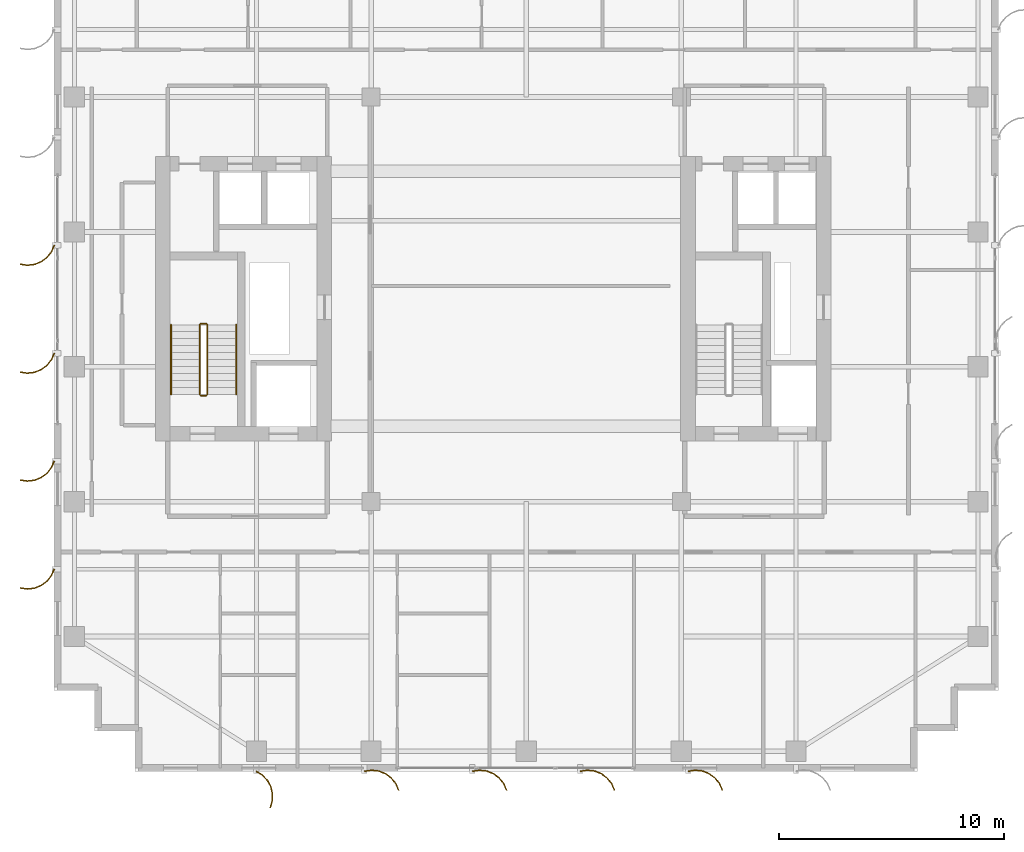
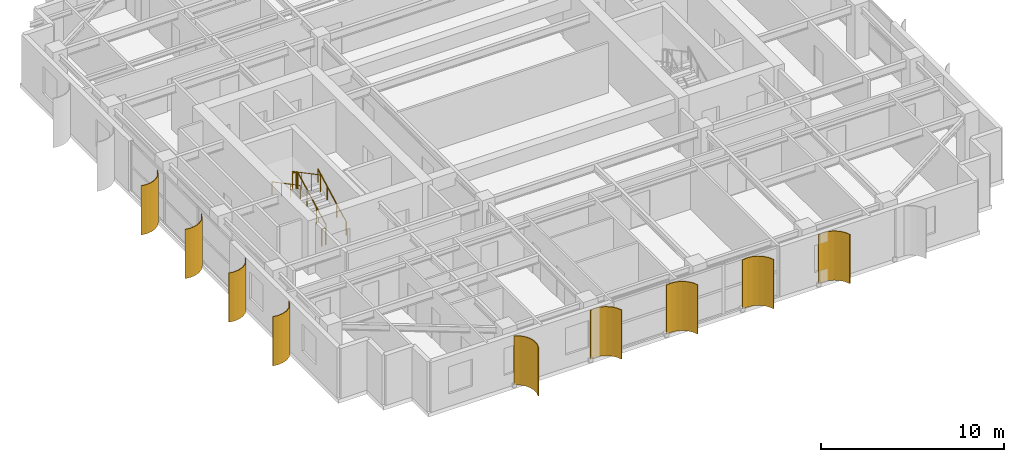
# One storey, part 20 of 22: 9 shading devices, 6 railings.
"""IFC4 building model written with IfcOpenShell, lengths in metres."""

from ifc_helpers import new_model, si_unit, direction, frame, origin, origin_2d, place, context, subcontext, project, spatial, polyline, circle, outline, extrude, source, transform, mapped, material, layer, layer_set, type_object, element, save


model = new_model("IFC4")

# Units and contexts
model_context = context("Model", 3, precision=1e-05, world=origin(), true_north=direction((0.0, 1.0)))
body_context = subcontext(model_context, "Body", "Model", "MODEL_VIEW")
ifc_project = project(units=[si_unit("LENGTHUNIT", "METRE"), si_unit("AREAUNIT", "SQUARE_METRE"), si_unit("VOLUMEUNIT", "CUBIC_METRE"), si_unit("PLANEANGLEUNIT", "RADIAN"), si_unit("MASSUNIT", "GRAM", prefix="KILO")], contexts=[model_context])

# Site, building, storey
site_placement = place(None, origin())
site = spatial("IfcSite", under=ifc_project, at=site_placement, CompositionType="ELEMENT")
building_placement = place(site_placement, origin())
building = spatial("IfcBuilding", under=site, at=building_placement, Name="Khoralis Quay Care Tower", CompositionType="ELEMENT")
storey_placement = place(building_placement, frame((0.0, 0.0, 170.10009765625)))
storey = spatial("IfcBuildingStorey", under=building, at=storey_placement, Name="L44", CompositionType="ELEMENT", Elevation=170.10009765625)

# Railings
ifc_material_1 = material(Name="Brushed stainless steel", Category="steel")
railing_type_1 = type_object("IfcRailingType", Name="RL-GUARD-1150", PredefinedType="GUARDRAIL", material=ifc_material_1)
railing_1_placement = place(storey_placement, frame((9.820068359375, 16.77001953125, 0.16357421875)))
element("IfcRailing", 1, at=railing_1_placement, inside=storey, type_object=railing_type_1, Name="L44 ST-T1 stair guard 1", PredefinedType="GUARDRAIL", context=body_context, shape_type="SweptSolid", body=[
    extrude(circle(Radius=0.02392578125, at=origin_2d()), frame((0.0, 0.0, 1.1259765625), z_axis=(0.0, 0.884376766648, 0.46677375099), x_axis=(-1.0, 0.0, 0.0)), (0.0, 0.0, 1.0), 3.50537109375),
    extrude(circle(Radius=0.02099609375, at=origin_2d()), origin(), (0.0, 0.0, 1.0), 1.101806640625),
    extrude(circle(Radius=0.02099609375, at=origin_2d()), frame((0.0, 1.033447265625, 0.54541015625)), (0.0, 0.0, 1.0), 1.101806640625),
    extrude(circle(Radius=0.02099609375, at=origin_2d()), frame((0.0, 2.066650390625, 1.0908203125)), (0.0, 0.0, 1.0), 1.101806640625),
    extrude(circle(Radius=0.02099609375, at=origin_2d()), frame((0.0, 3.10009765625, 1.63623046875)), (0.0, 0.0, 1.0), 1.101806640625),
])
railing_2_placement = place(storey_placement, frame((9.77001953125, 19.919921875, 1.7998046875)))
element("IfcRailing", 2, at=railing_2_placement, inside=storey, type_object=railing_type_1, Name="L44 ST-T1 stair guard 2", PredefinedType="GUARDRAIL", context=body_context, shape_type="SweptSolid", body=[
    extrude(circle(Radius=0.02392578125, at=origin_2d()), frame((0.0, 0.0, 1.1259765625), z_axis=(-1.0, 0.0, 0.0), x_axis=(0.0, -1.0, 0.0)), (0.0, 0.0, 1.0), 0.239990234375),
    extrude(circle(Radius=0.02099609375, at=origin_2d()), origin(), (0.0, 0.0, 1.0), 1.101806640625),
    extrude(circle(Radius=0.02099609375, at=origin_2d()), frame((-0.239990234375, 0.0, 0.0)), (0.0, 0.0, 1.0), 1.101806640625),
])
railing_3_placement = place(storey_placement, frame((9.47998046875, 19.8701171875, 1.963623046875)))
element("IfcRailing", 3, at=railing_3_placement, inside=storey, type_object=railing_type_1, Name="L44 ST-T1 stair guard 3", PredefinedType="GUARDRAIL", context=body_context, shape_type="SweptSolid", body=[
    extrude(circle(Radius=0.02392578125, at=origin_2d()), frame((0.0, 0.0, 1.1259765625), z_axis=(0.0, -0.884376766648, 0.46677375099), x_axis=(1.0, 0.0, 0.0)), (0.0, 0.0, 1.0), 3.50537109375),
    extrude(circle(Radius=0.02099609375, at=origin_2d()), origin(), (0.0, 0.0, 1.0), 1.101806640625),
    extrude(circle(Radius=0.02099609375, at=origin_2d()), frame((0.0, -1.033447265625, 0.54541015625)), (0.0, 0.0, 1.0), 1.101806640625),
    extrude(circle(Radius=0.02099609375, at=origin_2d()), frame((0.0, -2.066650390625, 1.0908203125)), (0.0, 0.0, 1.0), 1.101806640625),
    extrude(circle(Radius=0.02099609375, at=origin_2d()), frame((0.0, -3.10009765625, 1.63623046875)), (0.0, 0.0, 1.0), 1.101806640625),
])
railing_4_placement = place(storey_placement, frame((9.77001953125, 16.719970703125, 0.0)))
element("IfcRailing", 4, at=railing_4_placement, inside=storey, type_object=railing_type_1, Name="L44 ST-T1 stair guard 4", PredefinedType="GUARDRAIL", context=body_context, shape_type="SweptSolid", body=[
    extrude(circle(Radius=0.02392578125, at=origin_2d()), frame((0.0, 0.0, 1.1259765625), z_axis=(-1.0, 0.0, 0.0), x_axis=(0.0, -1.0, 0.0)), (0.0, 0.0, 1.0), 0.239990234375),
    extrude(circle(Radius=0.02099609375, at=origin_2d()), origin(), (0.0, 0.0, 1.0), 1.101806640625),
    extrude(circle(Radius=0.02099609375, at=origin_2d()), frame((-0.239990234375, 0.0, 0.0)), (0.0, 0.0, 1.0), 1.101806640625),
])
railing_type_2 = type_object("IfcRailingType", Name="RL-HAND-900", PredefinedType="HANDRAIL", material=ifc_material_1)
railing_5_placement = place(storey_placement, frame((11.10009765625, 16.77001953125, 0.16357421875)))
element("IfcRailing", 5, at=railing_5_placement, inside=storey, type_object=railing_type_2, Name="L44 ST-T1 stair handrail 1", PredefinedType="HANDRAIL", context=body_context, shape_type="SweptSolid", body=[
    extrude(circle(Radius=0.02392578125, at=origin_2d()), frame((0.0, 0.0, 0.8759765625), z_axis=(0.0, 0.884376766648, 0.46677375099), x_axis=(-1.0, 0.0, 0.0)), (0.0, 0.0, 1.0), 3.50537109375),
    extrude(circle(Radius=0.02099609375, at=origin_2d()), origin(), (0.0, 0.0, 1.0), 0.851806640625),
    extrude(circle(Radius=0.02099609375, at=origin_2d()), frame((0.0, 1.033447265625, 0.54541015625)), (0.0, 0.0, 1.0), 0.851806640625),
    extrude(circle(Radius=0.02099609375, at=origin_2d()), frame((0.0, 2.066650390625, 1.0908203125)), (0.0, 0.0, 1.0), 0.851806640625),
    extrude(circle(Radius=0.02099609375, at=origin_2d()), frame((0.0, 3.10009765625, 1.63623046875)), (0.0, 0.0, 1.0), 0.851806640625),
])
railing_6_placement = place(storey_placement, frame((8.199951171875, 19.8701171875, 1.963623046875)))
element("IfcRailing", 6, at=railing_6_placement, inside=storey, type_object=railing_type_2, Name="L44 ST-T1 stair handrail 2", PredefinedType="HANDRAIL", context=body_context, shape_type="SweptSolid", body=[
    extrude(circle(Radius=0.02392578125, at=origin_2d()), frame((0.0, 0.0, 0.8759765625), z_axis=(0.0, -0.884376766648, 0.46677375099), x_axis=(1.0, 0.0, 0.0)), (0.0, 0.0, 1.0), 3.50537109375),
    extrude(circle(Radius=0.02099609375, at=origin_2d()), origin(), (0.0, 0.0, 1.0), 0.851806640625),
    extrude(circle(Radius=0.02099609375, at=origin_2d()), frame((0.0, -1.033447265625, 0.54541015625)), (0.0, 0.0, 1.0), 0.851806640625),
    extrude(circle(Radius=0.02099609375, at=origin_2d()), frame((0.0, -2.066650390625, 1.0908203125)), (0.0, 0.0, 1.0), 0.851806640625),
    extrude(circle(Radius=0.02099609375, at=origin_2d()), frame((0.0, -3.10009765625, 1.63623046875)), (0.0, 0.0, 1.0), 0.851806640625),
])

# Shading devices
ifc_material_2 = material(Name="Brushed pale anodised aluminium", Category="aluminium")
ifc_layer = layer(ifc_material_2, 0.044921875)
ifc_layer_set = layer_set([ifc_layer], Name="Brushed pale anodised aluminium")
shading_device_type = type_object("IfcShadingDeviceType", Name="SHD-FIN-1250", PredefinedType="USERDEFINED", material=ifc_layer_set)
shared_shape_1 = source(origin(), body_context, "Body", "SweptSolid", [
    extrude(outline(polyline([(0.0, 0.0), (0.17041015625, 0.2783203125), (0.4072265625, 0.5029296875), (0.694091796875, 0.658447265625), (1.01123046875, 0.734619140625), (1.33740234375, 0.72607421875), (1.650390625, 0.633544921875), (1.632080078125, 0.59228515625), (1.330322265625, 0.681640625), (1.015869140625, 0.68994140625), (0.710205078125, 0.616455078125), (0.43359375, 0.466552734375), (0.20556640625, 0.25), (0.041015625, -0.018310546875), (0.0, 0.0)])), origin(), (0.0, 0.0, 1.0), 3.27978515625),
])
shading_device_placement = place(storey_placement, frame((12.0, 0.030029296875, 0.02001953125), z_axis=(0.0, 0.0, 1.0), x_axis=(0.0, -1.0, 0.0)))
element("IfcShadingDevice", 7, at=shading_device_placement, inside=storey, type_object=shading_device_type, Name="L44 Curved Solar Fin P1E0-01", ObjectType="FIN", PredefinedType="USERDEFINED", context=body_context, shape_type="MappedRepresentation", body=[
    mapped(shared_shape_1, transform((0.0, 0.0, 0.0), scale=1.0)),
])
shared_shape_2 = source(origin(), body_context, "Body", "SweptSolid", [
    extrude(outline(polyline([(0.0, 0.0), (-0.04833984375, 0.32275390625), (-0.01123046875, 0.64697265625), (0.1083984375, 0.950439453125), (0.302490234375, 1.212890625), (0.557861328125, 1.416015625), (0.85693359375, 1.546142578125), (0.869384765625, 1.5029296875), (0.5810546875, 1.37744140625), (0.334716796875, 1.181640625), (0.147705078125, 0.9287109375), (0.032470703125, 0.635986328125), (-0.003173828125, 0.323486328125), (0.043212890625, 0.012451171875), (0.0, 0.0)])), origin(), (0.0, 0.0, 1.0), 3.27978515625),
])
for number, where, z_axis, x_axis, name in (
    (8, (16.800048828125, 0.030029296875, 0.02001953125), (0.0, 0.0, 1.0), (0.0, -1.0, 0.0), "L44 Curved Solar Fin P1E0-02"),
    (9, (21.60009765625, 0.030029296875, 0.02001953125), (0.0, 0.0, 1.0), (0.0, -1.0, 0.0), "L44 Curved Solar Fin P1E0-03"),
    (10, (26.39990234375, 0.030029296875, 0.02001953125), (0.0, 0.0, 1.0), (0.0, -1.0, 0.0), "L44 Curved Solar Fin P1E0-04"),
    (11, (31.199951171875, 0.030029296875, 0.02001953125), (0.0, 0.0, 1.0), (0.0, -1.0, 0.0), "L44 Curved Solar Fin P1E0-05"),
):
    element("IfcShadingDevice", number, at=place(storey_placement, frame(where, z_axis=z_axis, x_axis=x_axis)), inside=storey, type_object=shading_device_type, Name=name, ObjectType="FIN", PredefinedType="USERDEFINED", context=body_context, shape_type="MappedRepresentation", body=[
        mapped(shared_shape_2, transform((0.0, 0.0, 0.0), scale=1.0)),
    ])
shared_shape_3 = source(origin(), body_context, "Body", "SweptSolid", [
    extrude(outline(polyline([(0.0, 0.0), (0.130126953125, 0.29931640625), (0.333251953125, 0.5546875), (0.595458984375, 0.748779296875), (0.899169921875, 0.868408203125), (1.223388671875, 0.9052734375), (1.546142578125, 0.85693359375), (1.53369140625, 0.813720703125), (1.22265625, 0.8603515625), (0.91015625, 0.82470703125), (0.617431640625, 0.70947265625), (0.364501953125, 0.522216796875), (0.168701171875, 0.276123046875), (0.043212890625, -0.012451171875), (0.0, 0.0)])), origin(), (0.0, 0.0, 1.0), 3.27978515625),
])
for number, where, z_axis, x_axis, name in (
    (12, (3.030029296875, 23.39990234375, 0.02001953125), (0.0, 0.0, 1.0), (-1.0, 0.0, 0.0), "L44 Curved Solar Fin P1E15-03"),
    (13, (3.030029296875, 18.60009765625, 0.02001953125), (0.0, 0.0, 1.0), (-1.0, 0.0, 0.0), "L44 Curved Solar Fin P1E15-04"),
    (14, (3.030029296875, 13.800048828125, 0.02001953125), (0.0, 0.0, 1.0), (-1.0, 0.0, 0.0), "L44 Curved Solar Fin P1E15-05"),
    (15, (3.030029296875, 9.0, 0.02001953125), (0.0, 0.0, 1.0), (-1.0, 0.0, 0.0), "L44 Curved Solar Fin P1E15-06"),
):
    element("IfcShadingDevice", number, at=place(storey_placement, frame(where, z_axis=z_axis, x_axis=x_axis)), inside=storey, type_object=shading_device_type, Name=name, ObjectType="FIN", PredefinedType="USERDEFINED", context=body_context, shape_type="MappedRepresentation", body=[
        mapped(shared_shape_3, transform((0.0, 0.0, 0.0), scale=1.0)),
    ])

save(model, "model.ifc")
